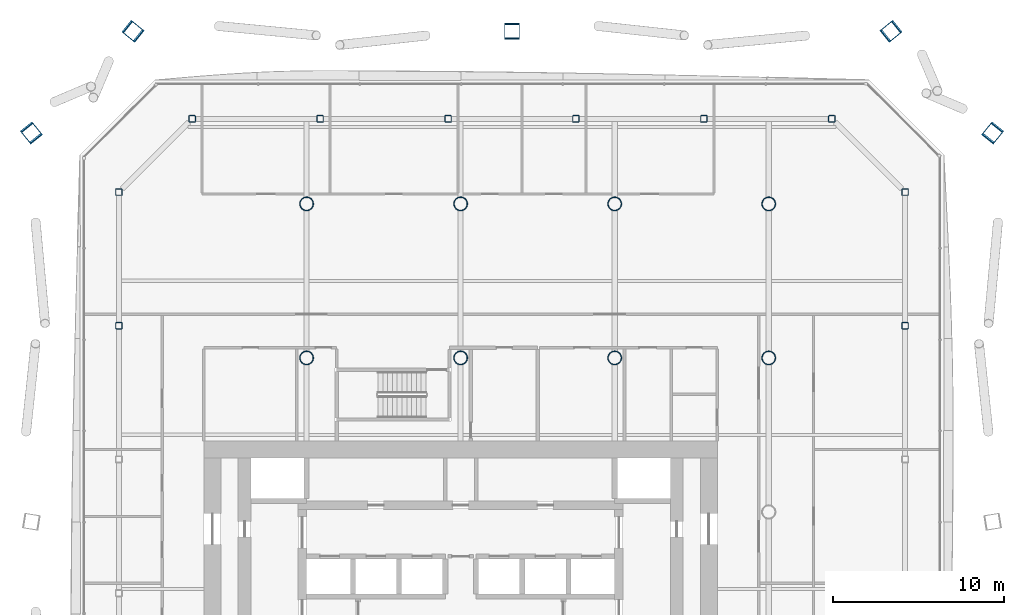
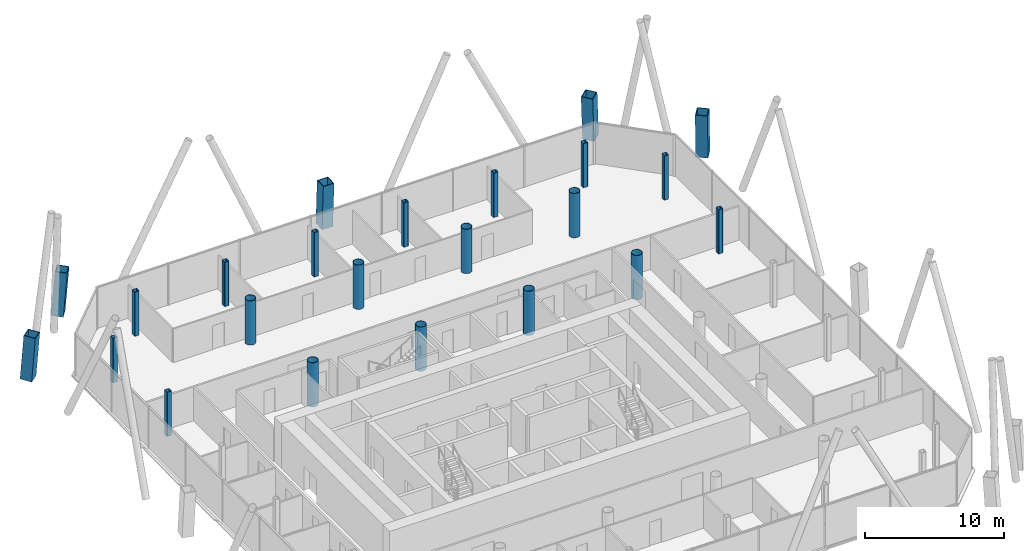
# One storey, part 2 of 22: 23 columns.
"""IFC4 building model written with IfcOpenShell, lengths in metres."""

from ifc_helpers import new_model, si_unit, direction, frame, origin, origin_2d, place, context, subcontext, project, spatial, hollow_rectangle, hollow_circle, extrude, material, material_profile, profile_set, type_object, element, save


model = new_model("IFC4")

# Units and contexts
model_context = context("Model", 3, precision=1e-05, world=origin(), true_north=direction((0.0, 1.0)))
body_context = subcontext(model_context, "Body", "Model", "MODEL_VIEW")
ifc_project = project(units=[si_unit("LENGTHUNIT", "METRE"), si_unit("AREAUNIT", "SQUARE_METRE"), si_unit("VOLUMEUNIT", "CUBIC_METRE"), si_unit("PLANEANGLEUNIT", "RADIAN"), si_unit("MASSUNIT", "GRAM", prefix="KILO")], contexts=[model_context])

# Site, building, storey
site_placement = place(None, origin())
site = spatial("IfcSite", under=ifc_project, at=site_placement, CompositionType="ELEMENT")
building_placement = place(site_placement, origin())
building = spatial("IfcBuilding", under=site, at=building_placement, Name="Tskaro Facet Tower", CompositionType="ELEMENT")
storey_placement = place(building_placement, frame((0.0, 0.0, 73.800048828125)))
storey = spatial("IfcBuildingStorey", under=building, at=storey_placement, Name="L17", CompositionType="ELEMENT", Elevation=73.800048828125)

# Columns
ifc_material_1 = material(Name="Steel S460M", Category="steel")
ifc_material_profile_1 = material_profile(ifc_material_1, hollow_rectangle(XDim=0.89990234375, YDim=0.89990234375, WallThickness=0.054931640625, at=origin_2d()), Name="BOX 900x900x55")
ifc_profile_set_1 = profile_set([ifc_material_profile_1], Name="Steel S460M")
column_type_1 = type_object("IfcColumnType", Name="BOX 900x900x55 mega column", PredefinedType="COLUMN", material=ifc_profile_set_1)
for number, where, z_axis, x_axis, name in (
    (1, (31.111083984375, 22.179931640625, 0.0), (-0.046820522728, -0.058057448183, 0.997214706752), (0.778413039475, -0.62775245119, 0.0), "BOX 900x900x55 MC06/2"),
    (2, (25.179931640625, 28.111083984375, 0.0), (-0.058057448183, -0.046820522728, 0.997214706752), (0.62775245119, -0.778413039475, 0.0), "BOX 900x900x55 MC07/2"),
):
    element("IfcColumn", number, at=place(storey_placement, frame(where, z_axis=z_axis, x_axis=x_axis)), inside=storey, type_object=column_type_1, Name=name, PredefinedType="COLUMN", context=body_context, shape_type="SweptSolid", body=[
        extrude(hollow_rectangle(XDim=0.89990234375, YDim=0.89990234375, WallThickness=0.054931640625, at=origin_2d()), origin(), (0.0, 0.0, 1.0), 3.910888671875),
    ])
column_placement = place(storey_placement, frame((3.0, 28.111083984375, 0.0), z_axis=(0.0, -0.046899630973, 0.998899606875), x_axis=(1.0, 0.0, 0.0)))
element("IfcColumn", 3, at=column_placement, inside=storey, type_object=column_type_1, Name="BOX 900x900x55 MC08/2", PredefinedType="COLUMN", context=body_context, shape_type="SweptSolid", body=[
    extrude(hollow_rectangle(XDim=0.89990234375, YDim=0.89990234375, WallThickness=0.054931640625, at=origin_2d()), origin(), (0.0, 0.0, 1.0), 3.904296875),
])
for number, where, z_axis, x_axis, name in (
    (4, (-19.179931640625, 28.111083984375, 0.0), (0.058057448183, -0.046820522728, 0.997214706752), (0.62775245119, 0.778413039475, 0.0), "BOX 900x900x55 MC09/2"),
    (5, (-25.111083984375, 22.179931640625, 0.0), (0.046820522728, -0.058057448183, 0.997214706752), (0.778413039475, 0.62775245119, 0.0), "BOX 900x900x55 MC10/2"),
):
    element("IfcColumn", number, at=place(storey_placement, frame(where, z_axis=z_axis, x_axis=x_axis)), inside=storey, type_object=column_type_1, Name=name, PredefinedType="COLUMN", context=body_context, shape_type="SweptSolid", body=[
        extrude(hollow_rectangle(XDim=0.89990234375, YDim=0.89990234375, WallThickness=0.054931640625, at=origin_2d()), origin(), (0.0, 0.0, 1.0), 3.910888671875),
    ])
ifc_material_2 = material(Name="Steel S355J2H", Category="steel")
ifc_material_profile_2 = material_profile(ifc_material_2, hollow_circle(Radius=0.406494140625, WallThickness=0.035888671875, at=origin_2d()), Name="CHS 812.8x36")
ifc_profile_set_2 = profile_set([ifc_material_profile_2], Name="Steel S355J2H")
column_type_2 = type_object("IfcColumnType", Name="CHS 812.8x36 interior column", PredefinedType="COLUMN", material=ifc_profile_set_2)
for number, where, z_axis, x_axis, name in (
    (6, (-9.0, 9.0, 0.0), (0.0, 0.0, 1.0), (1.0, 0.0, 0.0), "CHS 812.8x36 C3E/2"),
    (7, (-9.0, 18.0, 0.0), (0.0, 0.0, 1.0), (1.0, 0.0, 0.0), "CHS 812.8x36 C3F/2"),
    (8, (0.0, 9.0, 0.0), (0.0, 0.0, 1.0), (1.0, 0.0, 0.0), "CHS 812.8x36 C4E/2"),
    (9, (0.0, 18.0, 0.0), (0.0, 0.0, 1.0), (1.0, 0.0, 0.0), "CHS 812.8x36 C4F/2"),
    (10, (9.0, 9.0, 0.0), (0.0, 0.0, 1.0), (1.0, 0.0, 0.0), "CHS 812.8x36 C5E/2"),
    (11, (9.0, 18.0, 0.0), (0.0, 0.0, 1.0), (1.0, 0.0, 0.0), "CHS 812.8x36 C5F/2"),
    (12, (18.0, 9.0, 0.0), (0.0, 0.0, 1.0), (1.0, 0.0, 0.0), "CHS 812.8x36 C6E/2"),
    (13, (18.0, 18.0, 0.0), (0.0, 0.0, 1.0), (1.0, 0.0, 0.0), "CHS 812.8x36 C6F/2"),
):
    element("IfcColumn", number, at=place(storey_placement, frame(where, z_axis=z_axis, x_axis=x_axis)), inside=storey, type_object=column_type_2, Name=name, PredefinedType="COLUMN", context=body_context, shape_type="SweptSolid", body=[
        extrude(hollow_circle(Radius=0.406494140625, WallThickness=0.035888671875, at=origin_2d()), origin(), (0.0, 0.0, 1.0), 3.89990234375),
    ])
ifc_material_profile_3 = material_profile(ifc_material_2, hollow_rectangle(XDim=0.39990234375, YDim=0.39990234375, WallThickness=0.02490234375, InnerFilletRadius=0.03759765625, OuterFilletRadius=0.0625, at=origin_2d()), Name="SHS 400x400x25")
ifc_profile_set_3 = profile_set([ifc_material_profile_3], Name="Steel S355J2H")
column_type_3 = type_object("IfcColumnType", Name="SHS 400x400x25 ring column", PredefinedType="COLUMN", material=ifc_profile_set_3)
for number, where, z_axis, x_axis, name in (
    (14, (25.965087890625, 10.87890625, 0.0), (0.0, 0.0, 1.0), (1.0, 0.0, 0.0), "SHS 400x400x25 RE-5/2"),
    (15, (25.965087890625, 18.68994140625, 0.0), (0.0, 0.0, 1.0), (1.0, 0.0, 0.0), "SHS 400x400x25 RNE-1/2"),
    (16, (21.68994140625, 22.965087890625, 0.0), (0.0, 0.0, 1.0), (1.0, 0.0, 0.0), "SHS 400x400x25 RN-1/2"),
    (17, (14.214111328125, 22.965087890625, 0.0), (0.0, 0.0, 1.0), (1.0, 0.0, 0.0), "SHS 400x400x25 RN-2/2"),
    (18, (6.738037109375, 22.965087890625, 0.0), (0.0, 0.0, 1.0), (1.0, 0.0, 0.0), "SHS 400x400x25 RN-3/2"),
    (19, (-0.738037109375, 22.965087890625, 0.0), (0.0, 0.0, 1.0), (1.0, 0.0, 0.0), "SHS 400x400x25 RN-4/2"),
    (20, (-8.214111328125, 22.965087890625, 0.0), (0.0, 0.0, 1.0), (1.0, 0.0, 0.0), "SHS 400x400x25 RN-5/2"),
    (21, (-15.68994140625, 22.965087890625, 0.0), (0.0, 0.0, 1.0), (1.0, 0.0, 0.0), "SHS 400x400x25 RNW-1/2"),
    (22, (-19.965087890625, 18.68994140625, 0.0), (0.0, 0.0, 1.0), (1.0, 0.0, 0.0), "SHS 400x400x25 RW-1/2"),
    (23, (-19.965087890625, 10.87890625, 0.0), (0.0, 0.0, 1.0), (1.0, 0.0, 0.0), "SHS 400x400x25 RW-2/2"),
):
    element("IfcColumn", number, at=place(storey_placement, frame(where, z_axis=z_axis, x_axis=x_axis)), inside=storey, type_object=column_type_3, Name=name, PredefinedType="COLUMN", context=body_context, shape_type="SweptSolid", body=[
        extrude(hollow_rectangle(XDim=0.39990234375, YDim=0.39990234375, WallThickness=0.02490234375, InnerFilletRadius=0.03759765625, OuterFilletRadius=0.0625, at=origin_2d()), origin(), (0.0, 0.0, 1.0), 3.89990234375),
    ])

save(model, "model.ifc")
